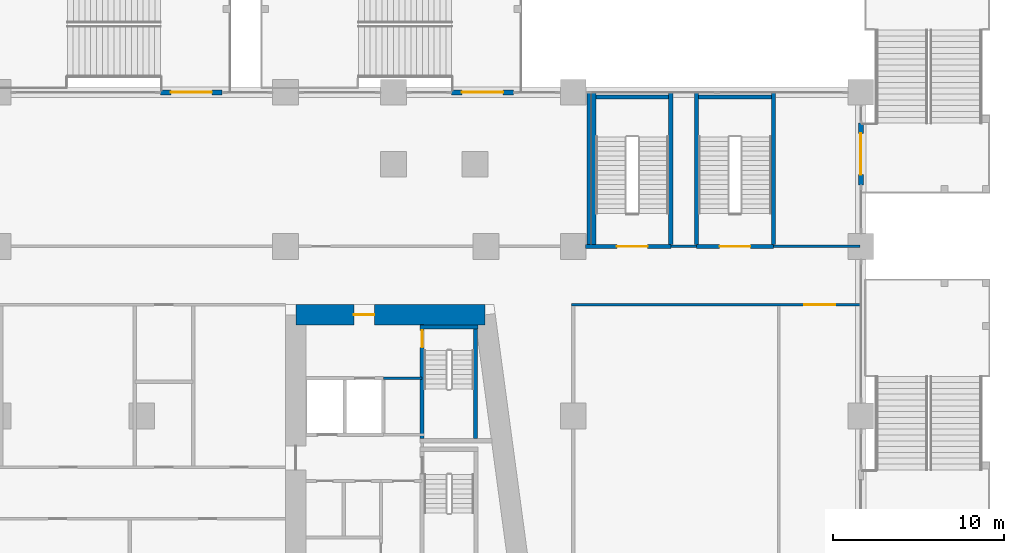
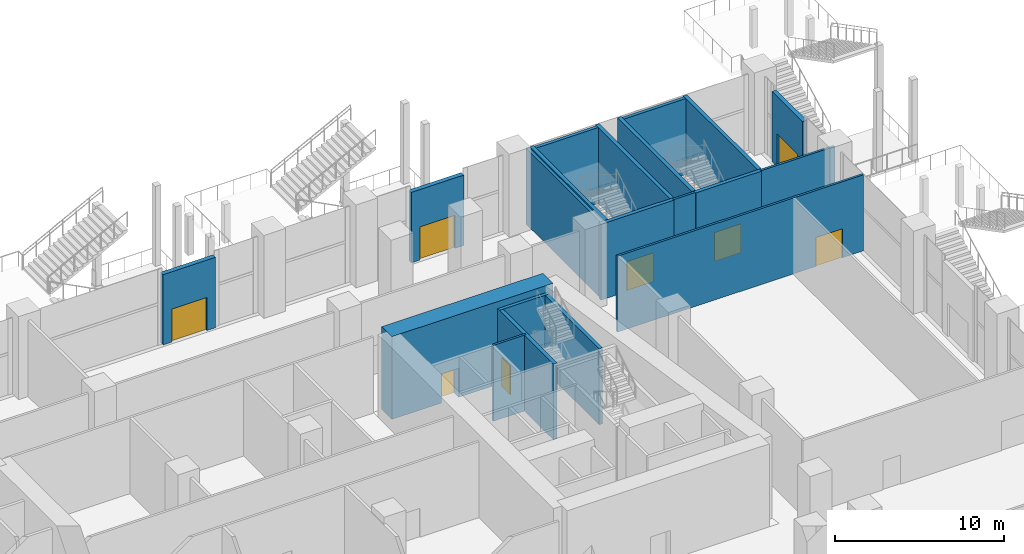
# One storey, part 26 of 47: 20 walls, 8 doors, 8 openings.
"""IFC4 building model written with IfcOpenShell, lengths in metres."""

from ifc_helpers import new_model, si_unit, direction, frame, frame_2d, origin, place, context, subcontext, project, spatial, rectangle, extrude, material, layer, layer_set, type_object, element, fill, save


model = new_model("IFC4")

# Units and contexts
model_context = context("Model", 3, precision=1e-05, world=origin(), true_north=direction((0.0, 1.0)))
body_context = subcontext(model_context, "Body", "Model", "MODEL_VIEW")
ifc_project = project(units=[si_unit("LENGTHUNIT", "METRE"), si_unit("AREAUNIT", "SQUARE_METRE"), si_unit("VOLUMEUNIT", "CUBIC_METRE"), si_unit("PLANEANGLEUNIT", "RADIAN"), si_unit("MASSUNIT", "GRAM", prefix="KILO")], contexts=[model_context])

# Site, building, storey
site_placement = place(None, origin())
site = spatial("IfcSite", under=ifc_project, at=site_placement, CompositionType="ELEMENT")
building_placement = place(site_placement, origin())
building = spatial("IfcBuilding", under=site, at=building_placement, Name="Candeia Pilgrim Tower and Theatre", CompositionType="ELEMENT")
storey_placement = place(building_placement, frame((0.0, 0.0, 23.0)))
storey = spatial("IfcBuildingStorey", under=building, at=storey_placement, Name="L03", CompositionType="ELEMENT", Elevation=23.0)

# Wall, opening, door
ifc_material_1 = material(Name="Concrete C80/95", Category="concrete")
ifc_layer_1 = layer(ifc_material_1, 1.199951171875)
ifc_layer_set_1 = layer_set([ifc_layer_1], Name="Core wall 1200 C80/95")
wall_type_1 = type_object("IfcWallType", Name="Core wall 1200 C80/95", PredefinedType="SHEAR", material=ifc_layer_set_1)
wall_1_placement = place(storey_placement, frame((126.60009765625, 131.800048828125, 0.0), z_axis=(0.0, 0.0, 1.0), x_axis=(1.0, 0.0, 0.0)))
wall_1 = element("IfcWall", 1, at=wall_1_placement, inside=storey, type_object=wall_type_1, Name="Core wall E1", PredefinedType="SHEAR", context=body_context, shape_type="SweptSolid", body=[
    extrude(rectangle(XDim=11.04443359375, YDim=1.199951171875, at=frame_2d((5.522216796875, 0.0))), origin(), (0.0, 0.0, 1.0), 6.0),
])
opening_1_placement = place(wall_1_placement, frame((3.386474609375, 0.0, 0.0)))
opening_1 = element("IfcOpeningElement", 2, at=opening_1_placement, cuts=wall_1, Name="Opening L03-D050", PredefinedType="OPENING", context=body_context, shape_type="SweptSolid", body=[
    extrude(rectangle(XDim=1.199951171875, YDim=2.10009765625, at=frame_2d((0.60009765625, 1.050048828125))), frame((0.0, 0.60986328125, 0.0), z_axis=(0.0, -1.0, 0.0), x_axis=(1.0, 0.0, 0.0)), (0.0, 0.0, 1.0), 1.219970703125),
])
ifc_material_2 = material(Name="Steel fire door set", Category="steel")
door_type_1 = type_object("IfcDoorType", Name="D-1200-FD60", OperationType="NOTDEFINED", PredefinedType="DOOR", material=ifc_material_2)
door_1_placement = place(opening_1_placement, origin())
door_1 = element("IfcDoor", 3, at=door_1_placement, inside=storey, type_object=door_type_1, Name="Door L03-D050", OperationType="SINGLE_SWING_LEFT", OverallHeight=2.10009765625, OverallWidth=1.199951171875, PredefinedType="DOOR", context=body_context, shape_type="SweptSolid", body=[
    extrude(rectangle(XDim=1.199951171875, YDim=2.10009765625, at=frame_2d((0.60009765625, 1.050048828125))), frame((0.0, 0.02490234375, 0.0), z_axis=(0.0, -1.0, 0.0), x_axis=(1.0, 0.0, 0.0)), (0.0, 0.0, 1.0), 0.050048828125),
])
fill(opening_1, door_1)

ifc_material_3 = material(Name="Ceramic block masonry", Category="masonry")
ifc_layer_2 = layer(ifc_material_3, 0.300048828125)
ifc_layer_set_2 = layer_set([ifc_layer_2], Name="EW2 entrance infill wall 300")
wall_type_2 = type_object("IfcWallType", Name="EW2 entrance infill wall 300", PredefinedType="SOLIDWALL", material=ifc_layer_set_2)
wall_2_placement = place(storey_placement, frame((118.699951171875, 144.800048828125, 0.0), z_axis=(0.0, 0.0, 1.0), x_axis=(1.0, 0.0, 0.0)))
wall_2 = element("IfcWall", 4, at=wall_2_placement, inside=storey, type_object=wall_type_2, Name="Entrance wall L03", PredefinedType="SOLIDWALL", context=body_context, shape_type="SweptSolid", body=[
    extrude(rectangle(XDim=3.60009765625, YDim=0.300048828125, at=frame_2d((1.800048828125, 0.0))), origin(), (0.0, 0.0, 1.0), 5.10009765625),
])
opening_2_placement = place(wall_2_placement, frame((0.60009765625, 0.0, 0.0)))
opening_2 = element("IfcOpeningElement", 5, at=opening_2_placement, cuts=wall_2, Name="Opening L03-ED066", PredefinedType="OPENING", context=body_context, shape_type="SweptSolid", body=[
    extrude(rectangle(XDim=2.39990234375, YDim=2.39990234375, at=frame_2d((1.199951171875, 1.199951171875))), frame((0.0, 0.16015625, 0.0), z_axis=(0.0, -1.0, 0.0), x_axis=(1.0, 0.0, 0.0)), (0.0, 0.0, 1.0), 0.320068359375),
])
ifc_material_4 = material(Name="Aluminium framed glazed door", Category="aluminium")
door_type_2 = type_object("IfcDoorType", Name="ED entrance double door 2400x2400", OperationType="DOUBLE_DOOR_DOUBLE_SWING", PredefinedType="DOOR", material=ifc_material_4)
door_2_placement = place(opening_2_placement, origin())
door_2 = element("IfcDoor", 6, at=door_2_placement, inside=storey, type_object=door_type_2, Name="Entrance door L03-ED066", OperationType="DOUBLE_DOOR_DOUBLE_SWING", OverallHeight=2.39990234375, OverallWidth=2.39990234375, PredefinedType="DOOR", context=body_context, shape_type="SweptSolid", body=[
    extrude(rectangle(XDim=2.39990234375, YDim=2.39990234375, at=frame_2d((1.199951171875, 1.199951171875))), frame((0.0, 0.02490234375, 0.0), z_axis=(0.0, -1.0, 0.0), x_axis=(1.0, 0.0, 0.0)), (0.0, 0.0, 1.0), 0.050048828125),
])
fill(opening_2, door_2)

wall_3_placement = place(storey_placement, frame((135.699951171875, 144.800048828125, 0.0), z_axis=(0.0, 0.0, 1.0), x_axis=(1.0, 0.0, 0.0)))
wall_3 = element("IfcWall", 7, at=wall_3_placement, inside=storey, type_object=wall_type_2, Name="Entrance wall L03", PredefinedType="SOLIDWALL", context=body_context, shape_type="SweptSolid", body=[
    extrude(rectangle(XDim=3.60009765625, YDim=0.300048828125, at=frame_2d((1.800048828125, 0.0))), origin(), (0.0, 0.0, 1.0), 5.10009765625),
])
opening_3_placement = place(wall_3_placement, frame((0.60009765625, 0.0, 0.0)))
opening_3 = element("IfcOpeningElement", 8, at=opening_3_placement, cuts=wall_3, Name="Opening L03-ED067", PredefinedType="OPENING", context=body_context, shape_type="SweptSolid", body=[
    extrude(rectangle(XDim=2.39990234375, YDim=2.39990234375, at=frame_2d((1.199951171875, 1.199951171875))), frame((0.0, 0.16015625, 0.0), z_axis=(0.0, -1.0, 0.0), x_axis=(1.0, 0.0, 0.0)), (0.0, 0.0, 1.0), 0.320068359375),
])
door_3_placement = place(opening_3_placement, origin())
door_3 = element("IfcDoor", 9, at=door_3_placement, inside=storey, type_object=door_type_2, Name="Entrance door L03-ED067", OperationType="DOUBLE_DOOR_DOUBLE_SWING", OverallHeight=2.39990234375, OverallWidth=2.39990234375, PredefinedType="DOOR", context=body_context, shape_type="SweptSolid", body=[
    extrude(rectangle(XDim=2.39990234375, YDim=2.39990234375, at=frame_2d((1.199951171875, 1.199951171875))), frame((0.0, 0.02490234375, 0.0), z_axis=(0.0, -1.0, 0.0), x_axis=(1.0, 0.0, 0.0)), (0.0, 0.0, 1.0), 0.050048828125),
])
fill(opening_3, door_3)

wall_4_placement = place(storey_placement, frame((159.60009765625, 143.0, 0.0), z_axis=(0.0, 0.0, 1.0), x_axis=(0.0, -1.0, 0.0)))
wall_4 = element("IfcWall", 10, at=wall_4_placement, inside=storey, type_object=wall_type_2, Name="Entrance wall L03", PredefinedType="SOLIDWALL", context=body_context, shape_type="SweptSolid", body=[
    extrude(rectangle(XDim=3.60009765625, YDim=0.300048828125, at=frame_2d((1.800048828125, 0.0))), origin(), (0.0, 0.0, 1.0), 5.10009765625),
])
opening_4_placement = place(wall_4_placement, frame((0.60009765625, 0.0, 0.0)))
opening_4 = element("IfcOpeningElement", 11, at=opening_4_placement, cuts=wall_4, Name="Opening L03-ED068", PredefinedType="OPENING", context=body_context, shape_type="SweptSolid", body=[
    extrude(rectangle(XDim=2.39990234375, YDim=2.39990234375, at=frame_2d((1.199951171875, 1.199951171875))), frame((0.0, 0.16015625, 0.0), z_axis=(0.0, -1.0, 0.0), x_axis=(1.0, 0.0, 0.0)), (0.0, 0.0, 1.0), 0.320068359375),
])
door_4_placement = place(opening_4_placement, origin())
door_4 = element("IfcDoor", 12, at=door_4_placement, inside=storey, type_object=door_type_2, Name="Entrance door L03-ED068", OperationType="DOUBLE_DOOR_DOUBLE_SWING", OverallHeight=2.39990234375, OverallWidth=2.39990234375, PredefinedType="DOOR", context=body_context, shape_type="SweptSolid", body=[
    extrude(rectangle(XDim=2.39990234375, YDim=2.39990234375, at=frame_2d((1.199951171875, 1.199951171875))), frame((0.0, 0.02490234375, 0.0), z_axis=(0.0, -1.0, 0.0), x_axis=(1.0, 0.0, 0.0)), (0.0, 0.0, 1.0), 0.050048828125),
])
fill(opening_4, door_4)

# Wall
ifc_material_5 = material(Name="Gypsum board partition on steel studs", Category="steel")
ifc_layer_3 = layer(ifc_material_5, 0.14990234375)
ifc_layer_set_3 = layer_set([ifc_layer_3], Name="PW-150 lobby wall")
wall_type_3 = type_object("IfcWallType", Name="PW-150 lobby wall", PredefinedType="PARTITIONING", material=ifc_layer_set_3)
wall_5_placement = place(storey_placement, frame((131.71533203125, 128.10009765625, 0.0), z_axis=(0.0, 0.0, 1.0), x_axis=(1.0, 0.0, 0.0)))
element("IfcWall", 13, at=wall_5_placement, inside=storey, type_object=wall_type_3, Name="Lobby wall L03-029", PredefinedType="PARTITIONING", context=body_context, shape_type="SweptSolid", body=[
    extrude(rectangle(XDim=2.257568359375, YDim=0.14990234375, at=frame_2d((1.12890625, 0.0))), origin(), (0.0, 0.0, 1.0), 5.5),
])

# Wall, opening, door
ifc_layer_4 = layer(ifc_material_5, 0.14990234375)
ifc_layer_set_4 = layer_set([ifc_layer_4], Name="PW-150 unit wall")
wall_type_4 = type_object("IfcWallType", Name="PW-150 unit wall", PredefinedType="PARTITIONING", material=ifc_layer_set_4)
wall_6_placement = place(storey_placement, frame((142.699951171875, 132.39990234375, 0.0), z_axis=(0.0, 0.0, 1.0), x_axis=(1.0, 0.0, 0.0)))
wall_6 = element("IfcWall", 14, at=wall_6_placement, inside=storey, type_object=wall_type_4, Name="Unit wall L03-034", PredefinedType="PARTITIONING", context=body_context, shape_type="SweptSolid", body=[
    extrude(rectangle(XDim=16.85009765625, YDim=0.14990234375, at=frame_2d((8.425048828125, 0.0))), origin(), (0.0, 0.0, 1.0), 5.5),
])
opening_5_placement = place(wall_6_placement, frame((13.60009765625, 0.0, 0.0)))
opening_5 = element("IfcOpeningElement", 15, at=opening_5_placement, cuts=wall_6, Name="Opening L03-D029", PredefinedType="OPENING", context=body_context, shape_type="SweptSolid", body=[
    extrude(rectangle(XDim=1.800048828125, YDim=2.10009765625, at=frame_2d((0.89990234375, 1.050048828125))), frame((0.0, 0.0849609375, 0.0), z_axis=(0.0, -1.0, 0.0), x_axis=(1.0, 0.0, 0.0)), (0.0, 0.0, 1.0), 0.169921875),
])
door_type_3 = type_object("IfcDoorType", Name="D-1800-FD60", OperationType="NOTDEFINED", PredefinedType="DOOR", material=ifc_material_2)
door_5_placement = place(opening_5_placement, origin())
door_5 = element("IfcDoor", 16, at=door_5_placement, inside=storey, type_object=door_type_3, Name="Door L03-D029", OperationType="SINGLE_SWING_RIGHT", OverallHeight=2.10009765625, OverallWidth=1.800048828125, PredefinedType="DOOR", context=body_context, shape_type="SweptSolid", body=[
    extrude(rectangle(XDim=1.800048828125, YDim=2.10009765625, at=frame_2d((0.89990234375, 1.050048828125))), frame((0.0, 0.02490234375, 0.0), z_axis=(0.0, -1.0, 0.0), x_axis=(1.0, 0.0, 0.0)), (0.0, 0.0, 1.0), 0.050048828125),
])
fill(opening_5, door_5)

# Walls
wall_7_placement = place(storey_placement, frame((148.5, 135.800048828125, 0.0), z_axis=(0.0, 0.0, 1.0), x_axis=(1.0, 0.0, 0.0)))
element("IfcWall", 17, at=wall_7_placement, inside=storey, type_object=wall_type_4, Name="Unit wall L03-042", PredefinedType="PARTITIONING", context=body_context, shape_type="SweptSolid", body=[
    extrude(rectangle(XDim=1.5, YDim=0.14990234375, at=frame_2d((0.75, 0.0))), origin(), (0.0, 0.0, 1.0), 5.5),
])
wall_8_placement = place(storey_placement, frame((154.5, 135.800048828125, 0.0), z_axis=(0.0, 0.0, 1.0), x_axis=(1.0, 0.0, 0.0)))
element("IfcWall", 18, at=wall_8_placement, inside=storey, type_object=wall_type_4, Name="Unit wall L03-043", PredefinedType="PARTITIONING", context=body_context, shape_type="SweptSolid", body=[
    extrude(rectangle(XDim=5.050048828125, YDim=0.14990234375, at=frame_2d((2.52490234375, 0.0))), origin(), (0.0, 0.0, 1.0), 5.5),
])
ifc_layer_5 = layer(ifc_material_5, 0.199951171875)
ifc_layer_set_5 = layer_set([ifc_layer_5], Name="PW-200 party wall")
wall_type_5 = type_object("IfcWallType", Name="PW-200 party wall", PredefinedType="PARTITIONING", material=ifc_layer_set_5)
wall_9_placement = place(storey_placement, frame((143.699951171875, 135.875, 0.0), z_axis=(0.0, 0.0, 1.0), x_axis=(0.0, 1.0, 0.0)))
element("IfcWall", 19, at=wall_9_placement, inside=storey, type_object=wall_type_5, Name="Party wall L03-095", PredefinedType="PARTITIONING", context=body_context, shape_type="SweptSolid", body=[
    extrude(rectangle(XDim=8.875, YDim=0.199951171875, at=frame_2d((4.4375, 0.0))), origin(), (0.0, 0.0, 1.0), 5.5),
])
ifc_material_6 = material(Name="Concrete C40/50", Category="concrete")
ifc_layer_6 = layer(ifc_material_6, 0.25)
ifc_layer_set_6 = layer_set([ifc_layer_6], Name="SW-250 stair wall")
wall_type_6 = type_object("IfcWallType", Name="SW-250 stair wall", PredefinedType="PARTITIONING", material=ifc_layer_set_6)
wall_10_placement = place(storey_placement, frame((133.847900390625, 131.10107421875, 0.0), z_axis=(0.0, 0.0, 1.0), x_axis=(1.0, 0.0, 0.0)))
element("IfcWall", 20, at=wall_10_placement, inside=storey, type_object=wall_type_6, Name="Stair wall L03-031", PredefinedType="PARTITIONING", context=body_context, shape_type="SweptSolid", body=[
    extrude(rectangle(XDim=3.400146484375, YDim=0.25, at=frame_2d((1.7001953125, 0.0))), origin(), (0.0, 0.0, 1.0), 5.5),
])

# Wall, opening, door
wall_11_placement = place(storey_placement, frame((143.52001953125, 135.800048828125, 0.0), z_axis=(0.0, 0.0, 1.0), x_axis=(1.0, 0.0, 0.0)))
wall_11 = element("IfcWall", 21, at=wall_11_placement, inside=storey, type_object=wall_type_6, Name="Stair wall L03-037", PredefinedType="PARTITIONING", context=body_context, shape_type="SweptSolid", body=[
    extrude(rectangle(XDim=4.97998046875, YDim=0.25, at=frame_2d((2.489990234375, 0.0))), origin(), (0.0, 0.0, 1.0), 5.5),
])
opening_6_placement = place(wall_11_placement, frame((1.830078125, 0.0, 0.0)))
opening_6 = element("IfcOpeningElement", 22, at=opening_6_placement, cuts=wall_11, Name="Opening L03-D021", PredefinedType="OPENING", context=body_context, shape_type="SweptSolid", body=[
    extrude(rectangle(XDim=1.800048828125, YDim=2.10009765625, at=frame_2d((0.89990234375, 1.050048828125))), frame((0.0, 0.135009765625, 0.0), z_axis=(0.0, -1.0, 0.0), x_axis=(1.0, 0.0, 0.0)), (0.0, 0.0, 1.0), 0.27001953125),
])
ifc_material_7 = material(Name="Steel exit door", Category="steel")
door_type_4 = type_object("IfcDoorType", Name="DX-1800-FD60", OperationType="NOTDEFINED", PredefinedType="DOOR", material=ifc_material_7)
door_6_placement = place(opening_6_placement, origin())
door_6 = element("IfcDoor", 23, at=door_6_placement, inside=storey, type_object=door_type_4, Name="Door L03-D021", OperationType="SINGLE_SWING_RIGHT", OverallHeight=2.10009765625, OverallWidth=1.800048828125, PredefinedType="DOOR", context=body_context, shape_type="SweptSolid", body=[
    extrude(rectangle(XDim=1.800048828125, YDim=2.10009765625, at=frame_2d((0.89990234375, 1.050048828125))), frame((0.0, 0.02490234375, 0.0), z_axis=(0.0, -1.0, 0.0), x_axis=(1.0, 0.0, 0.0)), (0.0, 0.0, 1.0), 0.050048828125),
])
fill(opening_6, door_6)

wall_12_placement = place(storey_placement, frame((150.0, 135.800048828125, 0.0), z_axis=(0.0, 0.0, 1.0), x_axis=(1.0, 0.0, 0.0)))
wall_12 = element("IfcWall", 24, at=wall_12_placement, inside=storey, type_object=wall_type_6, Name="Stair wall L03-038", PredefinedType="PARTITIONING", context=body_context, shape_type="SweptSolid", body=[
    extrude(rectangle(XDim=4.5, YDim=0.25, at=frame_2d((2.25, 0.0))), origin(), (0.0, 0.0, 1.0), 5.5),
])
opening_7_placement = place(wall_12_placement, frame((1.35009765625, 0.0, 0.0)))
opening_7 = element("IfcOpeningElement", 25, at=opening_7_placement, cuts=wall_12, Name="Opening L03-D022", PredefinedType="OPENING", context=body_context, shape_type="SweptSolid", body=[
    extrude(rectangle(XDim=1.800048828125, YDim=2.10009765625, at=frame_2d((0.89990234375, 1.050048828125))), frame((0.0, 0.135009765625, 0.0), z_axis=(0.0, -1.0, 0.0), x_axis=(1.0, 0.0, 0.0)), (0.0, 0.0, 1.0), 0.27001953125),
])
door_7_placement = place(opening_7_placement, origin())
door_7 = element("IfcDoor", 26, at=door_7_placement, inside=storey, type_object=door_type_4, Name="Door L03-D022", OperationType="SINGLE_SWING_LEFT", OverallHeight=2.10009765625, OverallWidth=1.800048828125, PredefinedType="DOOR", context=body_context, shape_type="SweptSolid", body=[
    extrude(rectangle(XDim=1.800048828125, YDim=2.10009765625, at=frame_2d((0.89990234375, 1.050048828125))), frame((0.0, 0.02490234375, 0.0), z_axis=(0.0, -1.0, 0.0), x_axis=(1.0, 0.0, 0.0)), (0.0, 0.0, 1.0), 0.050048828125),
])
fill(opening_7, door_7)

wall_13_placement = place(storey_placement, frame((133.972900390625, 124.574951171875, 0.0), z_axis=(0.0, 0.0, 1.0), x_axis=(0.0, 1.0, 0.0)))
wall_13 = element("IfcWall", 27, at=wall_13_placement, inside=storey, type_object=wall_type_6, Name="Stair wall L03-086", PredefinedType="PARTITIONING", context=body_context, shape_type="SweptSolid", body=[
    extrude(rectangle(XDim=6.655029296875, YDim=0.25, at=frame_2d((3.32763671875, 0.0))), origin(), (0.0, 0.0, 1.0), 5.5),
])
opening_8_placement = place(wall_13_placement, frame((5.324951171875, 0.0, 0.0)))
opening_8 = element("IfcOpeningElement", 28, at=opening_8_placement, cuts=wall_13, Name="Opening L03-D041", PredefinedType="OPENING", context=body_context, shape_type="SweptSolid", body=[
    extrude(rectangle(XDim=1.0, YDim=2.10009765625, at=frame_2d((0.5, 1.050048828125))), frame((0.0, 0.135009765625, 0.0), z_axis=(0.0, -1.0, 0.0), x_axis=(1.0, 0.0, 0.0)), (0.0, 0.0, 1.0), 0.27001953125),
])
door_type_5 = type_object("IfcDoorType", Name="D-1000-FD60", OperationType="NOTDEFINED", PredefinedType="DOOR", material=ifc_material_2)
door_8_placement = place(opening_8_placement, origin())
door_8 = element("IfcDoor", 29, at=door_8_placement, inside=storey, type_object=door_type_5, Name="Door L03-D041", OperationType="SINGLE_SWING_LEFT", OverallHeight=2.10009765625, OverallWidth=1.0, PredefinedType="DOOR", context=body_context, shape_type="SweptSolid", body=[
    extrude(rectangle(XDim=1.0, YDim=2.10009765625, at=frame_2d((0.5, 1.050048828125))), frame((0.0, 0.02490234375, 0.0), z_axis=(0.0, -1.0, 0.0), x_axis=(1.0, 0.0, 0.0)), (0.0, 0.0, 1.0), 0.050048828125),
])
fill(opening_8, door_8)

# Walls
wall_14_placement = place(storey_placement, frame((137.0927734375, 124.574951171875, 0.0), z_axis=(0.0, 0.0, 1.0), x_axis=(0.0, 1.0, 0.0)))
element("IfcWall", 30, at=wall_14_placement, inside=storey, type_object=wall_type_6, Name="Stair wall L03-090", PredefinedType="PARTITIONING", context=body_context, shape_type="SweptSolid", body=[
    extrude(rectangle(XDim=6.5, YDim=0.25, at=frame_2d((3.25, 0.0))), origin(), (0.0, 0.0, 1.0), 5.5),
])
for number, where, z_axis, x_axis, name in (
    (31, (144.0, 135.925048828125, 0.0), (0.0, 0.0, 1.0), (0.0, 1.0, 0.0), "Stair wall L03-096"),
    (32, (148.5, 135.925048828125, 0.0), (0.0, 0.0, 1.0), (0.0, 1.0, 0.0), "Stair wall L03-097"),
    (33, (150.0, 135.925048828125, 0.0), (0.0, 0.0, 1.0), (0.0, 1.0, 0.0), "Stair wall L03-098"),
    (34, (154.5, 135.925048828125, 0.0), (0.0, 0.0, 1.0), (0.0, 1.0, 0.0), "Stair wall L03-100"),
):
    element("IfcWall", number, at=place(storey_placement, frame(where, z_axis=z_axis, x_axis=x_axis)), inside=storey, type_object=wall_type_6, Name=name, PredefinedType="PARTITIONING", context=body_context, shape_type="SweptSolid", body=[
        extrude(rectangle(XDim=8.824951171875, YDim=0.25, at=frame_2d((4.41259765625, 0.0))), origin(), (0.0, 0.0, 1.0), 5.5),
    ])
for number, where, z_axis, x_axis, name in (
    (35, (144.125, 144.53759765625, 0.0), (0.0, 0.0, 1.0), (1.0, 0.0, 0.0), "Stair back wall PS3 L03"),
    (36, (150.125, 144.53759765625, 0.0), (0.0, 0.0, 1.0), (1.0, 0.0, 0.0), "Stair back wall PS4 L03"),
):
    element("IfcWall", number, at=place(storey_placement, frame(where, z_axis=z_axis, x_axis=x_axis)), inside=storey, type_object=wall_type_6, Name=name, PredefinedType="PARTITIONING", context=body_context, shape_type="SweptSolid", body=[
        extrude(rectangle(XDim=4.25, YDim=0.22509765625, at=frame_2d((2.125, 0.0))), origin(), (0.0, 0.0, 1.0), 5.5),
    ])

save(model, "model.ifc")
